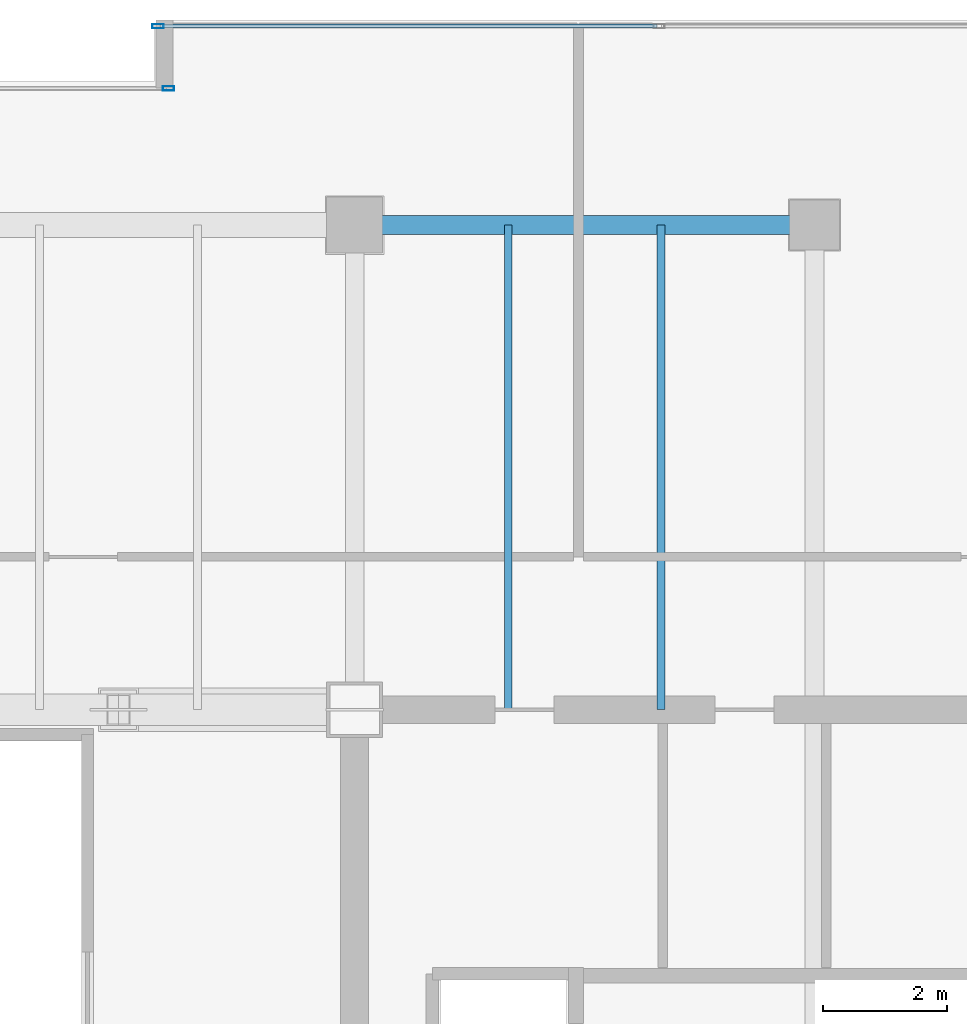
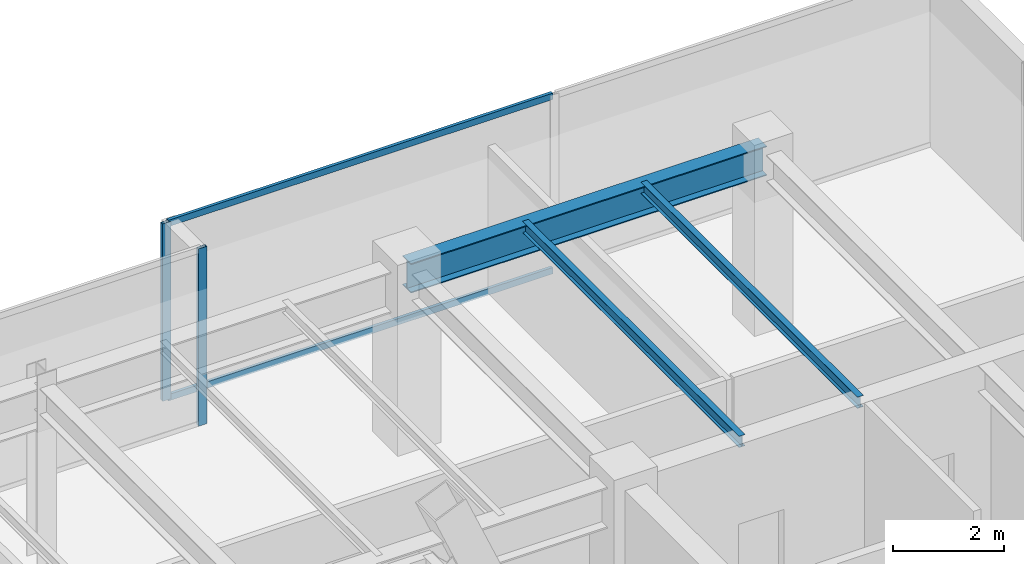
# One storey, part 23 of 32: 4 members, 3 beams, 2 elements without a shape of their own.
"""IFC4 building model written with IfcOpenShell, lengths in metres."""

from ifc_helpers import new_model, si_unit, direction, frame, origin, origin_2d, place, context, subcontext, project, spatial, hollow_rectangle, i_section, extrude, source, transform, mapped, material, layer, layer_set, material_profile, profile_set, type_object, type_shapes, element, aggregate, save


model = new_model("IFC4")

# Units and contexts
model_context = context("Model", 3, precision=1e-05, world=origin(), true_north=direction((0.0, 1.0)))
body_context = subcontext(model_context, "Body", "Model", "MODEL_VIEW")
ifc_project = project(units=[si_unit("LENGTHUNIT", "METRE"), si_unit("AREAUNIT", "SQUARE_METRE"), si_unit("VOLUMEUNIT", "CUBIC_METRE"), si_unit("PLANEANGLEUNIT", "RADIAN"), si_unit("MASSUNIT", "GRAM", prefix="KILO")], contexts=[model_context])

# Site, building, storey
site_placement = place(None, origin())
site = spatial("IfcSite", under=ifc_project, at=site_placement, CompositionType="ELEMENT")
building_placement = place(site_placement, origin())
building = spatial("IfcBuilding", under=site, at=building_placement, Name="Haelvirn Gate Laboratories", CompositionType="ELEMENT")
storey_placement = place(building_placement, frame((0.0, 0.0, 301.800048828125)))
storey = spatial("IfcBuildingStorey", under=building, at=storey_placement, Name="L72", CompositionType="ELEMENT", Elevation=301.800048828125)

# Beams
ifc_material_1 = material(Name="Steel SM355", Category="steel")
ifc_material_profile_1 = material_profile(ifc_material_1, i_section(OverallWidth=0.300048828125, OverallDepth=0.64990234375, WebThickness=0.012939453125, FlangeThickness=0.02197265625, at=origin_2d()), Name="H-650x300x13x22")
ifc_profile_set_1 = profile_set([ifc_material_profile_1], Name="Steel SM355")
beam_type_1 = type_object("IfcBeamType", Name="BM-G-650", PredefinedType="BEAM", material=ifc_profile_set_1)
shared_shape_1 = source(origin(), body_context, "Body", "SweptSolid", [
    extrude(i_section(OverallWidth=0.300048828125, OverallDepth=0.64990234375, WebThickness=0.012939453125, FlangeThickness=0.02197265625, at=origin_2d()), origin(), (0.0, 0.0, 1.0), 7.39990234375),
])
type_shapes(beam_type_1, [shared_shape_1])
beam_placement = place(storey_placement, frame((52.60009765625, 41.60009765625, 3.574951171875), z_axis=(1.0, 0.0, 0.0), x_axis=(0.0, 1.0, 0.0)))
element("IfcBeam", 1, at=beam_placement, inside=storey, type_object=beam_type_1, Name="L72 Primary Girder Y41.6 (52.6-60.0)", PredefinedType="BEAM", context=body_context, shape_type="MappedRepresentation", body=[
    mapped(shared_shape_1, transform((0.0, 0.0, 0.0), scale=1.0)),
])
ifc_material_profile_2 = material_profile(ifc_material_1, i_section(OverallWidth=0.125, OverallDepth=0.25, WebThickness=0.006103515625, FlangeThickness=0.009033203125, at=origin_2d()), Name="H-250x125x6x9")
ifc_profile_set_2 = profile_set([ifc_material_profile_2], Name="Steel SM355")
beam_type_2 = type_object("IfcBeamType", Name="BM-J-250", PredefinedType="JOIST", material=ifc_profile_set_2)
shared_shape_2 = source(origin(), body_context, "Body", "SweptSolid", [
    extrude(i_section(OverallWidth=0.125, OverallDepth=0.25, WebThickness=0.006103515625, FlangeThickness=0.009033203125, at=origin_2d()), origin(), (0.0, 0.0, 1.0), 7.800048828125),
])
type_shapes(beam_type_2, [shared_shape_2])
for number, where, z_axis, x_axis, name in (
    (2, (55.070068359375, 33.800048828125, 3.77490234375), (0.0, 1.0, 0.0), (-1.0, 0.0, 0.0), "L72 Composite Lab Joist North X55.07"),
    (3, (57.530029296875, 33.800048828125, 3.77490234375), (0.0, 1.0, 0.0), (-1.0, 0.0, 0.0), "L72 Composite Lab Joist North X57.53"),
):
    element("IfcBeam", number, at=place(storey_placement, frame(where, z_axis=z_axis, x_axis=x_axis)), inside=storey, type_object=beam_type_2, Name=name, PredefinedType="JOIST", context=body_context, shape_type="MappedRepresentation", body=[
        mapped(shared_shape_2, transform((0.0, 0.0, 0.0), scale=1.0)),
    ])

# Curtain wall, member
ifc_material_2 = material(Name="Anodised bronze unitised aluminium & triple low-E glass", Category="aluminium")
ifc_layer = layer(ifc_material_2, 0.176025390625, Name="CW-SYS-4")
ifc_layer_set = layer_set([ifc_layer], Name="Anodised bronze unitised aluminium & triple low-E glass")
curtain_wall_type = type_object("IfcCurtainWallType", Name="CW-SYS-4", PredefinedType="NOTDEFINED", material=ifc_layer_set)
curtain_wall_1_placement = place(storey_placement, origin())
curtain_wall_1 = element("IfcCurtainWall", 4, at=curtain_wall_1_placement, inside=storey, type_object=curtain_wall_type, Name="L72 Unitised Curtain Wall CW-L72-P0-E10-1", PredefinedType="NOTDEFINED")
ifc_material_3 = material(Name="Extruded aluminium 6063-T6 (anodised bronze)", Category="aluminium")
ifc_material_profile_3 = material_profile(ifc_material_3, hollow_rectangle(XDim=0.070068359375, YDim=0.179931640625, WallThickness=0.0048828125, at=origin_2d()), Name="CWM-180x70x5")
ifc_profile_set_3 = profile_set([ifc_material_profile_3], Name="Extruded aluminium 6063-T6 (anodised bronze)")
member_type_1 = type_object("IfcMemberType", Name="CWM-T180", PredefinedType="MULLION", material=ifc_profile_set_3)
shared_shape_3 = source(origin(), body_context, "Body", "SweptSolid", [
    extrude(hollow_rectangle(XDim=0.070068359375, YDim=0.179931640625, WallThickness=0.0048828125, at=origin_2d()), origin(), (0.0, 0.0, 1.0), 3.89990234375),
])
type_shapes(member_type_1, [shared_shape_3])
member_1_placement = place(storey_placement, frame((49.43505859375, 44.800048828125, 0.0), z_axis=(0.0, 0.0, 1.0), x_axis=(0.0, 1.0, 0.0)))
member_1 = element("IfcMember", 5, at=member_1_placement, type_object=member_type_1, Name="CW4 mullion 1", PredefinedType="MULLION", context=body_context, shape_type="MappedRepresentation", body=[
    mapped(shared_shape_3, transform((0.0, 0.0, 0.0), scale=1.0)),
])

curtain_wall_2_placement = place(storey_placement, origin())
curtain_wall_2 = element("IfcCurtainWall", 6, at=curtain_wall_2_placement, inside=storey, type_object=curtain_wall_type, Name="L72 Unitised Curtain Wall CW-L72-P0-E12-1", PredefinedType="NOTDEFINED")
member_2_placement = place(storey_placement, frame((49.60498046875, 43.800048828125, 0.0), z_axis=(0.0, 0.0, 1.0), x_axis=(0.0, 1.0, 0.0)))
member_2 = element("IfcMember", 7, at=member_2_placement, type_object=member_type_1, Name="CW4 mullion 3", PredefinedType="MULLION", context=body_context, shape_type="MappedRepresentation", body=[
    mapped(shared_shape_3, transform((0.0, 0.0, 0.0), scale=1.0)),
])
aggregate(curtain_wall_2, [member_2])

# Member
ifc_material_profile_4 = material_profile(ifc_material_3, hollow_rectangle(XDim=0.06494140625, YDim=0.139892578125, WallThickness=0.00390625, at=origin_2d()), Name="CWT-140x65x4")
ifc_profile_set_4 = profile_set([ifc_material_profile_4], Name="Extruded aluminium 6063-T6 (anodised bronze)")
member_type_2 = type_object("IfcMemberType", Name="CWT-T140", PredefinedType="USERDEFINED", material=ifc_profile_set_4)
shared_shape_4 = source(origin(), body_context, "Body", "SweptSolid", [
    extrude(hollow_rectangle(XDim=0.06494140625, YDim=0.139892578125, WallThickness=0.00390625, at=origin_2d()), origin(), (0.0, 0.0, 1.0), 7.9951171875),
])
type_shapes(member_type_2, [shared_shape_4])
member_3_placement = place(storey_placement, frame((49.469970703125, 44.800048828125, 0.032470703125), z_axis=(1.0, 0.0, 0.0), x_axis=(0.0, 1.0, 0.0)))
member_3 = element("IfcMember", 8, at=member_3_placement, type_object=member_type_2, Name="CW4 transom 1.1", ObjectType="TRANSOM", PredefinedType="USERDEFINED", context=body_context, shape_type="MappedRepresentation", body=[
    mapped(shared_shape_4, transform((0.0, 0.0, 0.0), scale=1.0)),
])

member_4_placement = place(storey_placement, frame((49.469970703125, 44.800048828125, 3.867431640625), z_axis=(1.0, 0.0, 0.0), x_axis=(0.0, 1.0, 0.0)))
member_4 = element("IfcMember", 9, at=member_4_placement, type_object=member_type_2, Name="CW4 transom 1.2", ObjectType="TRANSOM", PredefinedType="USERDEFINED", context=body_context, shape_type="MappedRepresentation", body=[
    mapped(shared_shape_4, transform((0.0, 0.0, 0.0), scale=1.0)),
])

aggregate(curtain_wall_1, [member_1, member_3, member_4])

save(model, "model.ifc")
